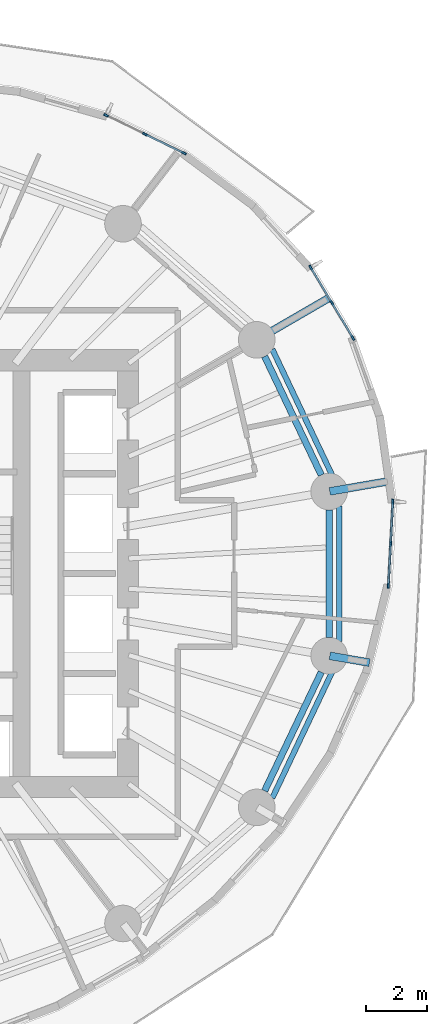
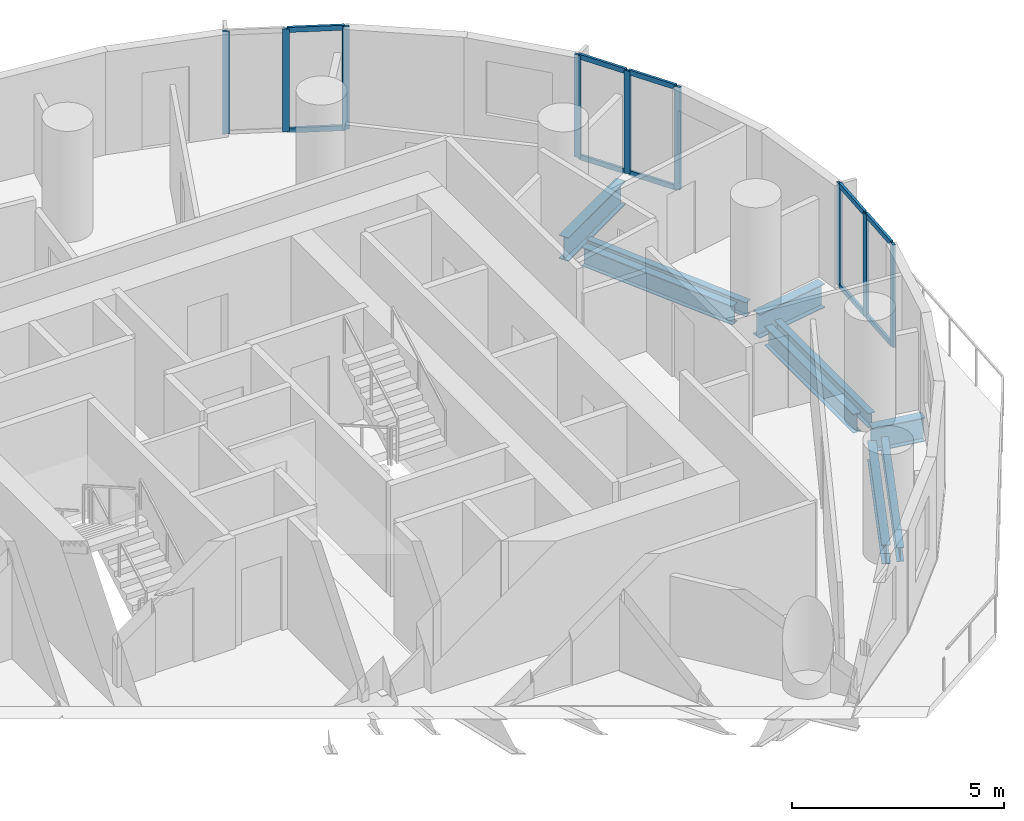
# One storey, part 5 of 15: 19 members, 9 beams, 3 elements without a shape of their own.
"""IFC4 building model written with IfcOpenShell, lengths in metres."""

from ifc_helpers import new_model, si_unit, direction, frame, origin, origin_2d, place, context, subcontext, project, spatial, rectangle, i_section, extrude, material, material_profile, profile_set, type_object, element, aggregate, save


model = new_model("IFC4")

# Units and contexts
model_context = context("Model", 3, precision=1e-05, world=origin(), true_north=direction((0.0, 1.0)))
body_context = subcontext(model_context, "Body", "Model", "MODEL_VIEW")
ifc_project = project(units=[si_unit("LENGTHUNIT", "METRE"), si_unit("AREAUNIT", "SQUARE_METRE"), si_unit("VOLUMEUNIT", "CUBIC_METRE"), si_unit("PLANEANGLEUNIT", "RADIAN"), si_unit("MASSUNIT", "GRAM", prefix="KILO")], contexts=[model_context])

# Site, building, storey
site_placement = place(None, origin())
site = spatial("IfcSite", under=ifc_project, at=site_placement, CompositionType="ELEMENT")
building_placement = place(site_placement, origin())
building = spatial("IfcBuilding", under=site, at=building_placement, Name="Veldorim Arch Residences", CompositionType="ELEMENT")
storey_placement = place(building_placement, frame((0.0, 0.0, 106.080078125)))
storey = spatial("IfcBuildingStorey", under=building, at=storey_placement, Name="L31", CompositionType="ELEMENT", Elevation=106.080078125)

# Beams
ifc_material_1 = material(Name="Steel S355", Category="steel")
ifc_material_profile_1 = material_profile(ifc_material_1, i_section(OverallWidth=0.2119140625, OverallDepth=0.54443359375, WebThickness=0.0126953125, FlangeThickness=0.021240234375, at=origin_2d()), Name="UB533x210x122")
ifc_profile_set_1 = profile_set([ifc_material_profile_1], Name="Steel S355")
beam_type_1 = type_object("IfcBeamType", Name="Structural Steel Beam UB533x210x122", PredefinedType="BEAM", material=ifc_profile_set_1)
for number, where, z_axis, x_axis, name in (
    (1, (47.336181640625, 27.233642578125, -0.51220703125), (-0.430720154476, 0.902485539235, 0.0), (-0.902485539235, -0.430720154476, 0.0), "L31 perimeter ring tie beam 01"),
    (2, (45.478759765625, 16.87451171875, -0.51220703125), (0.430720154476, 0.902485539235, 0.0), (-0.902485539235, 0.430720154476, 0.0), "L31 perimeter ring tie beam 15"),
):
    element("IfcBeam", number, at=place(storey_placement, frame(where, z_axis=z_axis, x_axis=x_axis)), inside=storey, type_object=beam_type_1, Name=name, PredefinedType="BEAM", context=body_context, shape_type="SweptSolid", body=[
        extrude(i_section(OverallWidth=0.2119140625, OverallDepth=0.54443359375, WebThickness=0.0126953125, FlangeThickness=0.021240234375, at=origin_2d()), origin(), (0.0, 0.0, 1.0), 4.312255859375),
    ])
beam_1_placement = place(storey_placement, frame((47.594482421875, 21.90771484375, -0.51220703125), z_axis=(0.0, 1.0, 0.0), x_axis=(-1.0, 0.0, 0.0)))
element("IfcBeam", 3, at=beam_1_placement, inside=storey, type_object=beam_type_1, Name="L31 perimeter ring tie beam 16", PredefinedType="BEAM", context=body_context, shape_type="SweptSolid", body=[
    extrude(i_section(OverallWidth=0.2119140625, OverallDepth=0.54443359375, WebThickness=0.0126953125, FlangeThickness=0.021240234375, at=origin_2d()), origin(), (0.0, 0.0, 1.0), 4.1845703125),
])
ifc_material_2 = material(Name="Steel S355", Category="steel")
ifc_material_profile_2 = material_profile(ifc_material_2, i_section(OverallWidth=0.25439453125, OverallDepth=0.6875, WebThickness=0.01318359375, FlangeThickness=0.02099609375, at=origin_2d()), Name="UB686x254x152")
ifc_profile_set_2 = profile_set([ifc_material_profile_2], Name="Steel S355")
beam_type_2 = type_object("IfcBeamType", Name="Structural Steel GIRDER UB686x254x152", PredefinedType="USERDEFINED", material=ifc_profile_set_2)
beam_2_placement = place(storey_placement, frame((47.6142578125, 26.695556640625, -0.583740234375), z_axis=(0.985416355925, 0.170160528549, 0.0), x_axis=(-0.170160528549, 0.985416355925, 0.0)))
element("IfcBeam", 4, at=beam_2_placement, inside=storey, type_object=beam_type_2, Name="L31 radial edge cantilever girder 01", ObjectType="GIRDER", PredefinedType="USERDEFINED", context=body_context, shape_type="SweptSolid", body=[
    extrude(i_section(OverallWidth=0.25439453125, OverallDepth=0.6875, WebThickness=0.01318359375, FlangeThickness=0.02099609375, at=origin_2d()), origin(), (0.0, 0.0, 1.0), 1.99853515625),
])
beam_3_placement = place(storey_placement, frame((45.23779296875, 31.677001953125, -0.583740234375), z_axis=(0.865067975698, 0.501654659523, 0.0), x_axis=(-0.501654659523, 0.865067975698, 0.0)))
element("IfcBeam", 5, at=beam_3_placement, inside=storey, type_object=beam_type_2, Name="L31 radial edge cantilever girder 02", ObjectType="GIRDER", PredefinedType="USERDEFINED", context=body_context, shape_type="SweptSolid", body=[
    extrude(i_section(OverallWidth=0.25439453125, OverallDepth=0.6875, WebThickness=0.01318359375, FlangeThickness=0.02099609375, at=origin_2d()), origin(), (0.0, 0.0, 1.0), 2.707275390625),
])
beam_4_placement = place(storey_placement, frame((47.6142578125, 21.304443359375, -0.583740234375), z_axis=(0.985414257331, -0.170172681262, 0.0), x_axis=(0.170172681262, 0.985414257331, 0.0)))
element("IfcBeam", 6, at=beam_4_placement, inside=storey, type_object=beam_type_2, Name="L31 radial edge cantilever girder 16", ObjectType="GIRDER", PredefinedType="USERDEFINED", context=body_context, shape_type="SweptSolid", body=[
    extrude(i_section(OverallWidth=0.25439453125, OverallDepth=0.6875, WebThickness=0.01318359375, FlangeThickness=0.02099609375, at=origin_2d()), origin(), (0.0, 0.0, 1.0), 1.32275390625),
])
ifc_material_3 = material(Name="Steel S355", Category="steel")
ifc_material_profile_3 = material_profile(ifc_material_3, i_section(OverallWidth=0.1787109375, OverallDepth=0.409423828125, WebThickness=0.0087890625, FlangeThickness=0.014404296875, at=origin_2d()), Name="UB406x178x67")
ifc_profile_set_3 = profile_set([ifc_material_profile_3], Name="Steel S355")
beam_type_3 = type_object("IfcBeamType", Name="Structural Steel Spandrel UB406x178x67", PredefinedType="SPANDREL", material=ifc_profile_set_3)
for number, where, z_axis, x_axis, name in (
    (7, (47.693115234375, 27.225341796875, -0.46484375), (-0.428857472204, 0.903372165021, 0.0), (-0.903372165021, -0.428857472204, 0.0), "L31 perimeter chord spandrel beam 01"),
    (8, (45.732421875, 16.64453125, -0.46484375), (0.428857472204, 0.903372165021, 0.0), (-0.903372165021, 0.428857472204, 0.0), "L31 perimeter chord spandrel beam 15"),
):
    element("IfcBeam", number, at=place(storey_placement, frame(where, z_axis=z_axis, x_axis=x_axis)), inside=storey, type_object=beam_type_3, Name=name, PredefinedType="SPANDREL", context=body_context, shape_type="SweptSolid", body=[
        extrude(i_section(OverallWidth=0.1787109375, OverallDepth=0.409423828125, WebThickness=0.0087890625, FlangeThickness=0.014404296875, at=origin_2d()), origin(), (0.0, 0.0, 1.0), 4.572021484375),
    ])
beam_5_placement = place(storey_placement, frame((47.919677734375, 21.77978515625, -0.46484375), z_axis=(0.0, 1.0, 0.0), x_axis=(-1.0, 0.0, 0.0)))
element("IfcBeam", 9, at=beam_5_placement, inside=storey, type_object=beam_type_3, Name="L31 perimeter chord spandrel beam 16", PredefinedType="SPANDREL", context=body_context, shape_type="SweptSolid", body=[
    extrude(i_section(OverallWidth=0.1787109375, OverallDepth=0.409423828125, WebThickness=0.0087890625, FlangeThickness=0.014404296875, at=origin_2d()), origin(), (0.0, 0.0, 1.0), 4.4404296875),
])

# Curtain wall, members
ifc_material_4 = material(Name="Aluminium", Category="aluminium")
curtain_wall_type = type_object("IfcCurtainWallType", Name="Zone 2 Solar-Control Unitised Curtain Wall", PredefinedType="NOTDEFINED", material=ifc_material_4)
curtain_wall_1_placement = place(storey_placement, origin())
curtain_wall_1 = element("IfcCurtainWall", 10, at=curtain_wall_1_placement, inside=storey, type_object=curtain_wall_type, Name="L31 unitised curtain wall bay 01", PredefinedType="NOTDEFINED")
ifc_material_5 = material(Name="Aluminium", Category="aluminium")
ifc_material_profile_4 = material_profile(ifc_material_5, rectangle(XDim=0.06494140625, YDim=0.1650390625, at=origin_2d()), Name="ALU_MUL_65x165")
ifc_profile_set_4 = profile_set([ifc_material_profile_4], Name="Aluminium")
member_type_1 = type_object("IfcMemberType", Name="Zone 2 Solar-Control Unitised Curtain Wall Mullion 65x165", PredefinedType="MULLION", material=ifc_profile_set_4)
member_1_placement = place(storey_placement, frame((46.989013671875, 34.039794921875, 0.0), z_axis=(0.0, 0.0, 1.0), x_axis=(0.85756971039, 0.514367759315, 0.0)))
member_1 = element("IfcMember", 11, at=member_1_placement, type_object=member_type_1, Name="CW-Z2 mullion 1", PredefinedType="MULLION", context=body_context, shape_type="SweptSolid", body=[
    extrude(rectangle(XDim=0.06494140625, YDim=0.1650390625, at=origin_2d()), origin(), (0.0, 0.0, 1.0), 2.9599609375),
])
member_2_placement = place(storey_placement, frame((47.681396484375, 32.88525390625, 0.0), z_axis=(0.0, 0.0, 1.0), x_axis=(0.85756971039, 0.514367759315, 0.0)))
member_2 = element("IfcMember", 12, at=member_2_placement, type_object=member_type_1, Name="CW-Z2 mullion 2", PredefinedType="MULLION", context=body_context, shape_type="SweptSolid", body=[
    extrude(rectangle(XDim=0.06494140625, YDim=0.1650390625, at=origin_2d()), origin(), (0.0, 0.0, 1.0), 2.9599609375),
])
member_3_placement = place(storey_placement, frame((48.3740234375, 31.730712890625, 0.0), z_axis=(0.0, 0.0, 1.0), x_axis=(0.85756971039, 0.514367759315, 0.0)))
member_3 = element("IfcMember", 13, at=member_3_placement, type_object=member_type_1, Name="CW-Z2 mullion 3", PredefinedType="MULLION", context=body_context, shape_type="SweptSolid", body=[
    extrude(rectangle(XDim=0.06494140625, YDim=0.1650390625, at=origin_2d()), origin(), (0.0, 0.0, 1.0), 2.9599609375),
])

curtain_wall_2_placement = place(storey_placement, origin())
curtain_wall_2 = element("IfcCurtainWall", 14, at=curtain_wall_2_placement, inside=storey, type_object=curtain_wall_type, Name="L31 unitised curtain wall bay 04", PredefinedType="NOTDEFINED")
member_4_placement = place(storey_placement, frame((40.28076171875, 39.030517578125, 0.0), z_axis=(0.0, 0.0, 1.0), x_axis=(0.436999671959, 0.899461664946, 0.0)))
member_4 = element("IfcMember", 15, at=member_4_placement, type_object=member_type_1, Name="CW-Z2 mullion 1", PredefinedType="MULLION", context=body_context, shape_type="SweptSolid", body=[
    extrude(rectangle(XDim=0.06494140625, YDim=0.1650390625, at=origin_2d()), origin(), (0.0, 0.0, 1.0), 2.9599609375),
])
member_5_placement = place(storey_placement, frame((41.55517578125, 38.411376953125, 0.0), z_axis=(0.0, 0.0, 1.0), x_axis=(0.436999671959, 0.899461664946, 0.0)))
member_5 = element("IfcMember", 16, at=member_5_placement, type_object=member_type_1, Name="CW-Z2 mullion 2", PredefinedType="MULLION", context=body_context, shape_type="SweptSolid", body=[
    extrude(rectangle(XDim=0.06494140625, YDim=0.1650390625, at=origin_2d()), origin(), (0.0, 0.0, 1.0), 2.9599609375),
])
member_6_placement = place(storey_placement, frame((42.829345703125, 37.792236328125, 0.0), z_axis=(0.0, 0.0, 1.0), x_axis=(0.436999671959, 0.899461664946, 0.0)))
member_6 = element("IfcMember", 17, at=member_6_placement, type_object=member_type_1, Name="CW-Z2 mullion 3", PredefinedType="MULLION", context=body_context, shape_type="SweptSolid", body=[
    extrude(rectangle(XDim=0.06494140625, YDim=0.1650390625, at=origin_2d()), origin(), (0.0, 0.0, 1.0), 2.9599609375),
])

curtain_wall_3_placement = place(storey_placement, origin())
curtain_wall_3 = element("IfcCurtainWall", 18, at=curtain_wall_3_placement, inside=storey, type_object=curtain_wall_type, Name="L31 unitised curtain wall bay 34", PredefinedType="NOTDEFINED")
member_7_placement = place(storey_placement, frame((49.68408203125, 26.364501953125, 0.0), z_axis=(0.0, 0.0, 1.0), x_axis=(0.998590099536, -0.053083077429, 0.0)))
member_7 = element("IfcMember", 19, at=member_7_placement, type_object=member_type_1, Name="CW-Z2 mullion 1", PredefinedType="MULLION", context=body_context, shape_type="SweptSolid", body=[
    extrude(rectangle(XDim=0.06494140625, YDim=0.1650390625, at=origin_2d()), origin(), (0.0, 0.0, 1.0), 2.9599609375),
])
member_8_placement = place(storey_placement, frame((49.610595703125, 24.982421875, 0.0), z_axis=(0.0, 0.0, 1.0), x_axis=(0.998590099536, -0.053083077429, 0.0)))
member_8 = element("IfcMember", 20, at=member_8_placement, type_object=member_type_1, Name="CW-Z2 mullion 2", PredefinedType="MULLION", context=body_context, shape_type="SweptSolid", body=[
    extrude(rectangle(XDim=0.06494140625, YDim=0.1650390625, at=origin_2d()), origin(), (0.0, 0.0, 1.0), 2.9599609375),
])
member_9_placement = place(storey_placement, frame((49.537109375, 23.60009765625, 0.0), z_axis=(0.0, 0.0, 1.0), x_axis=(0.998590099536, -0.053083077429, 0.0)))
member_9 = element("IfcMember", 21, at=member_9_placement, type_object=member_type_1, Name="CW-Z2 mullion 3", PredefinedType="MULLION", context=body_context, shape_type="SweptSolid", body=[
    extrude(rectangle(XDim=0.06494140625, YDim=0.1650390625, at=origin_2d()), origin(), (0.0, 0.0, 1.0), 2.9599609375),
])

# Member
ifc_material_6 = material(Name="Aluminium", Category="aluminium")
ifc_material_profile_5 = material_profile(ifc_material_6, rectangle(XDim=0.06494140625, YDim=0.14501953125, at=origin_2d()), Name="ALU_TRN_65x145")
ifc_profile_set_5 = profile_set([ifc_material_profile_5], Name="Aluminium")
member_type_2 = type_object("IfcMemberType", Name="Zone 2 Solar-Control Unitised Curtain Wall Transom 65x145", PredefinedType="USERDEFINED", material=ifc_profile_set_5)
member_10_placement = place(storey_placement, frame((47.005615234375, 34.011962890625, 0.032470703125), z_axis=(0.514411698757, -0.857543354112, 0.0), x_axis=(0.857543354112, 0.514411698757, 0.0)))
member_10 = element("IfcMember", 22, at=member_10_placement, type_object=member_type_2, Name="CW-Z2 transom 1.1", ObjectType="TRANSOM", PredefinedType="USERDEFINED", context=body_context, shape_type="SweptSolid", body=[
    extrude(rectangle(XDim=0.06494140625, YDim=0.14501953125, at=origin_2d()), origin(), (0.0, 0.0, 1.0), 1.281494140625),
])

member_11_placement = place(storey_placement, frame((47.005615234375, 34.011962890625, 2.927490234375), z_axis=(0.514411698757, -0.857543354112, 0.0), x_axis=(0.857543354112, 0.514411698757, 0.0)))
member_11 = element("IfcMember", 23, at=member_11_placement, type_object=member_type_2, Name="CW-Z2 transom 1.2", ObjectType="TRANSOM", PredefinedType="USERDEFINED", context=body_context, shape_type="SweptSolid", body=[
    extrude(rectangle(XDim=0.06494140625, YDim=0.14501953125, at=origin_2d()), origin(), (0.0, 0.0, 1.0), 1.281494140625),
])

member_12_placement = place(storey_placement, frame((47.6982421875, 32.857421875, 0.032470703125), z_axis=(0.514271571349, -0.85762739631, 0.0), x_axis=(0.85762739631, 0.514271571349, 0.0)))
member_12 = element("IfcMember", 24, at=member_12_placement, type_object=member_type_2, Name="CW-Z2 transom 2.1", ObjectType="TRANSOM", PredefinedType="USERDEFINED", context=body_context, shape_type="SweptSolid", body=[
    extrude(rectangle(XDim=0.06494140625, YDim=0.14501953125, at=origin_2d()), origin(), (0.0, 0.0, 1.0), 1.28125),
])

member_13_placement = place(storey_placement, frame((47.6982421875, 32.857421875, 2.927490234375), z_axis=(0.514271571349, -0.85762739631, 0.0), x_axis=(0.85762739631, 0.514271571349, 0.0)))
member_13 = element("IfcMember", 25, at=member_13_placement, type_object=member_type_2, Name="CW-Z2 transom 2.2", ObjectType="TRANSOM", PredefinedType="USERDEFINED", context=body_context, shape_type="SweptSolid", body=[
    extrude(rectangle(XDim=0.06494140625, YDim=0.14501953125, at=origin_2d()), origin(), (0.0, 0.0, 1.0), 1.28125),
])

aggregate(curtain_wall_1, [member_1, member_2, member_3, member_10, member_11, member_12, member_13])

member_14_placement = place(storey_placement, frame((41.584228515625, 38.397216796875, 0.032470703125), z_axis=(0.899427024625, -0.437070963774, 0.0), x_axis=(0.437070963774, 0.899427024625, 0.0)))
member_14 = element("IfcMember", 26, at=member_14_placement, type_object=member_type_2, Name="CW-Z2 transom 2.1", ObjectType="TRANSOM", PredefinedType="USERDEFINED", context=body_context, shape_type="SweptSolid", body=[
    extrude(rectangle(XDim=0.06494140625, YDim=0.14501953125, at=origin_2d()), origin(), (0.0, 0.0, 1.0), 1.351806640625),
])

member_15_placement = place(storey_placement, frame((41.584228515625, 38.397216796875, 2.927490234375), z_axis=(0.899427024625, -0.437070963774, 0.0), x_axis=(0.437070963774, 0.899427024625, 0.0)))
member_15 = element("IfcMember", 27, at=member_15_placement, type_object=member_type_2, Name="CW-Z2 transom 2.2", ObjectType="TRANSOM", PredefinedType="USERDEFINED", context=body_context, shape_type="SweptSolid", body=[
    extrude(rectangle(XDim=0.06494140625, YDim=0.14501953125, at=origin_2d()), origin(), (0.0, 0.0, 1.0), 1.351806640625),
])

aggregate(curtain_wall_2, [member_4, member_5, member_6, member_14, member_15])

member_16_placement = place(storey_placement, frame((49.68212890625, 26.33203125, 0.032470703125), z_axis=(-0.052937715551, -0.998597816076, 0.0), x_axis=(0.998597816076, -0.052937715551, 0.0)))
member_16 = element("IfcMember", 28, at=member_16_placement, type_object=member_type_2, Name="CW-Z2 transom 1.1", ObjectType="TRANSOM", PredefinedType="USERDEFINED", context=body_context, shape_type="SweptSolid", body=[
    extrude(rectangle(XDim=0.06494140625, YDim=0.14501953125, at=origin_2d()), origin(), (0.0, 0.0, 1.0), 1.319091796875),
])

member_17_placement = place(storey_placement, frame((49.68212890625, 26.33203125, 2.927490234375), z_axis=(-0.052937715551, -0.998597816076, 0.0), x_axis=(0.998597816076, -0.052937715551, 0.0)))
member_17 = element("IfcMember", 29, at=member_17_placement, type_object=member_type_2, Name="CW-Z2 transom 1.2", ObjectType="TRANSOM", PredefinedType="USERDEFINED", context=body_context, shape_type="SweptSolid", body=[
    extrude(rectangle(XDim=0.06494140625, YDim=0.14501953125, at=origin_2d()), origin(), (0.0, 0.0, 1.0), 1.319091796875),
])

member_18_placement = place(storey_placement, frame((49.60888671875, 24.949951171875, 0.032470703125), z_axis=(-0.053112474047, -0.998588536436, 0.0), x_axis=(0.998588536436, -0.053112474047, 0.0)))
member_18 = element("IfcMember", 30, at=member_18_placement, type_object=member_type_2, Name="CW-Z2 transom 2.1", ObjectType="TRANSOM", PredefinedType="USERDEFINED", context=body_context, shape_type="SweptSolid", body=[
    extrude(rectangle(XDim=0.06494140625, YDim=0.14501953125, at=origin_2d()), origin(), (0.0, 0.0, 1.0), 1.3193359375),
])

member_19_placement = place(storey_placement, frame((49.60888671875, 24.949951171875, 2.927490234375), z_axis=(-0.053112474047, -0.998588536436, 0.0), x_axis=(0.998588536436, -0.053112474047, 0.0)))
member_19 = element("IfcMember", 31, at=member_19_placement, type_object=member_type_2, Name="CW-Z2 transom 2.2", ObjectType="TRANSOM", PredefinedType="USERDEFINED", context=body_context, shape_type="SweptSolid", body=[
    extrude(rectangle(XDim=0.06494140625, YDim=0.14501953125, at=origin_2d()), origin(), (0.0, 0.0, 1.0), 1.3193359375),
])

aggregate(curtain_wall_3, [member_7, member_8, member_9, member_16, member_17, member_18, member_19])

save(model, "model.ifc")
